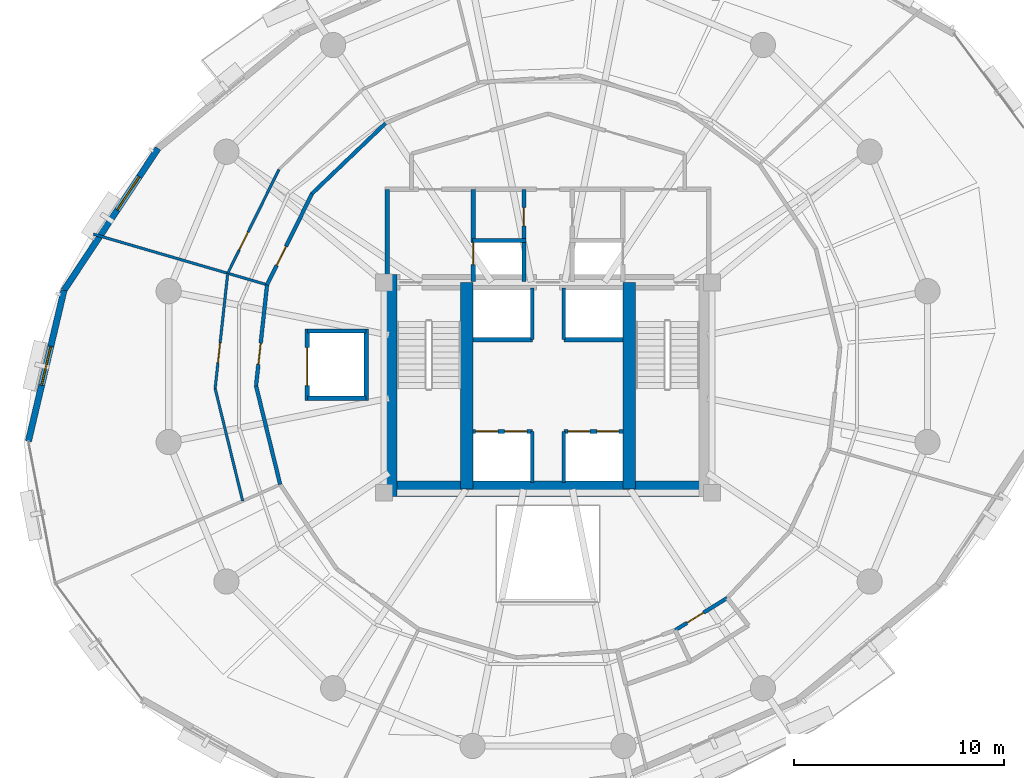
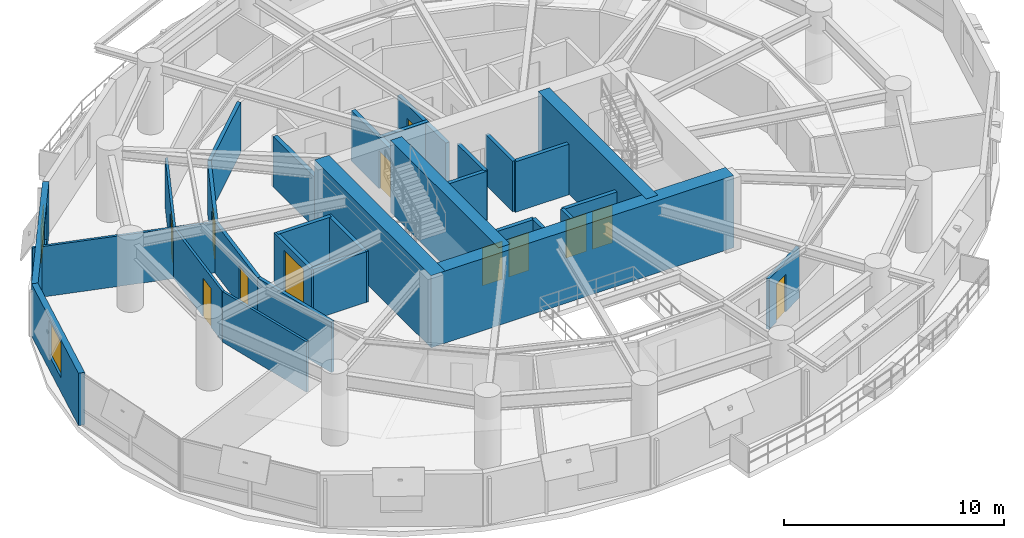
# One storey, part 10 of 14: 31 walls, 12 doors, 2 windows, 14 openings.
"""IFC4 building model written with IfcOpenShell, lengths in metres."""

from ifc_helpers import new_model, si_unit, direction, frame, frame_2d, origin, place, context, subcontext, project, spatial, rectangle, extrude, material, layer, layer_set, type_object, element, fill, save


model = new_model("IFC4")

# Units and contexts
model_context = context("Model", 3, precision=1e-05, world=origin(), true_north=direction((0.0, 1.0)))
body_context = subcontext(model_context, "Body", "Model", "MODEL_VIEW")
ifc_project = project(units=[si_unit("LENGTHUNIT", "METRE"), si_unit("AREAUNIT", "SQUARE_METRE"), si_unit("VOLUMEUNIT", "CUBIC_METRE"), si_unit("PLANEANGLEUNIT", "RADIAN"), si_unit("MASSUNIT", "GRAM", prefix="KILO"), si_unit("THERMODYNAMICTEMPERATUREUNIT", "KELVIN"), si_unit("POWERUNIT", "WATT")], contexts=[model_context])

# Site, building, storey
site_placement = place(None, origin())
site = spatial("IfcSite", under=ifc_project, at=site_placement, CompositionType="ELEMENT")
building_placement = place(site_placement, origin())
building = spatial("IfcBuilding", under=site, at=building_placement, Name="Ocrelia Relay Tower", CompositionType="ELEMENT")
storey_placement = place(building_placement, frame((0.0, 0.0, 133.800048828125)))
storey = spatial("IfcBuildingStorey", under=building, at=storey_placement, Name="L31", CompositionType="ELEMENT", Elevation=133.800048828125)

# Walls
ifc_material_1 = material(Name="Concrete C60/75", Category="concrete")
ifc_layer_1 = layer(ifc_material_1, 0.75, Name="Concrete C60/75")
ifc_layer_set_1 = layer_set([ifc_layer_1], Name="Concrete C60/75")
wall_type_1 = type_object("IfcWallType", Name="CW-CORE-750", PredefinedType="SHEAR", material=ifc_layer_set_1)
wall_1_placement = place(storey_placement, frame((26.072021484375, 20.18701171875, 0.0), z_axis=(0.0, 0.0, 1.0), x_axis=(1.0, 0.0, 0.0)))
element("IfcWall", 1, at=wall_1_placement, inside=storey, type_object=wall_type_1, Name="L31 Core Shear Wall S", PredefinedType="SHEAR", context=body_context, shape_type="SweptSolid", body=[
    extrude(rectangle(XDim=15.865966796875, YDim=0.75, at=frame_2d((7.93310546875, 0.0))), origin(), (0.0, 0.0, 1.0), 4.0),
])
wall_2_placement = place(storey_placement, frame((26.447021484375, 19.81201171875, 0.0), z_axis=(0.0, 0.0, 1.0), x_axis=(0.0, 1.0, 0.0)))
element("IfcWall", 2, at=wall_2_placement, inside=storey, type_object=wall_type_1, Name="L31 Core Shear Wall W", PredefinedType="SHEAR", context=body_context, shape_type="SweptSolid", body=[
    extrude(rectangle(XDim=10.575927734375, YDim=0.75, at=frame_2d((5.2880859375, 0.0))), origin(), (0.0, 0.0, 1.0), 4.0),
])
for number, where, z_axis, x_axis, name in (
    (3, (30.137939453125, 20.18701171875, 0.0), (0.0, 0.0, 1.0), (0.0, 1.0, 0.0), "L31 Core Shear Wall SPW"),
    (4, (37.8720703125, 20.18701171875, 0.0), (0.0, 0.0, 1.0), (0.0, 1.0, 0.0), "L31 Core Shear Wall SPE"),
):
    element("IfcWall", number, at=place(storey_placement, frame(where, z_axis=z_axis, x_axis=x_axis)), inside=storey, type_object=wall_type_1, Name=name, PredefinedType="SHEAR", context=body_context, shape_type="SweptSolid", body=[
        extrude(rectangle(XDim=9.825927734375, YDim=0.60009765625, at=frame_2d((4.9130859375, 0.0))), origin(), (0.0, 0.0, 1.0), 4.0),
    ])

# Wall, opening, door
ifc_material_2 = material(Name="Gypsum Fireboard Partition EI60", Category="gypsum")
ifc_layer_2 = layer(ifc_material_2, 0.179931640625, Name="Gypsum Fireboard Partition EI60")
ifc_layer_set_2 = layer_set([ifc_layer_2], Name="Gypsum Fireboard Partition EI60")
wall_type_2 = type_object("IfcWallType", Name="W-CORR-EI60-180", PredefinedType="PARTITIONING", material=ifc_layer_set_2)
wall_3_placement = place(storey_placement, frame((40.047607421875, 13.46240234375, 0.0), z_axis=(0.0, 0.0, 1.0), x_axis=(0.850365255825, 0.526192865483, 0.0)))
wall_3 = element("IfcWall", 5, at=wall_3_placement, inside=storey, type_object=wall_type_2, Name="L31 Accessible Toilet Corridor Wall", PredefinedType="PARTITIONING", context=body_context, shape_type="SweptSolid", body=[
    extrude(rectangle(XDim=2.91015625, YDim=0.179931640625, at=frame_2d((1.455078125, 0.0))), origin(), (0.0, 0.0, 1.0), 2.800048828125),
])
opening_1_placement = place(wall_3_placement, frame((0.6689453125, 0.0, 0.0)))
opening_1 = element("IfcOpeningElement", 6, at=opening_1_placement, cuts=wall_3, Name="Opening D-WC92", PredefinedType="OPENING", context=body_context, shape_type="SweptSolid", body=[
    extrude(rectangle(XDim=0.919921875, YDim=2.10009765625, at=frame_2d((0.4599609375, 1.050048828125))), frame((0.0, 0.10009765625, 0.0), z_axis=(0.0, -1.0, 0.0), x_axis=(1.0, 0.0, 0.0)), (0.0, 0.0, 1.0), 0.199951171875),
])
ifc_material_3 = material(Name="Laminate washroom door", Category="wood")
door_type_1 = type_object("IfcDoorType", Name="DR-WC-920", OperationType="NOTDEFINED", PredefinedType="DOOR", material=ifc_material_3)
door_1_placement = place(opening_1_placement, origin())
door_1 = element("IfcDoor", 7, at=door_1_placement, inside=storey, type_object=door_type_1, Name="L31 Accessible Toilet Door", OperationType="SINGLE_SWING_RIGHT", OverallHeight=2.10009765625, OverallWidth=0.919921875, PredefinedType="DOOR", context=body_context, shape_type="SweptSolid", body=[
    extrude(rectangle(XDim=0.919921875, YDim=2.10009765625, at=frame_2d((0.4599609375, 1.050048828125))), frame((0.0, 0.02490234375, 0.0), z_axis=(0.0, -1.0, 0.0), x_axis=(1.0, 0.0, 0.0)), (0.0, 0.0, 1.0), 0.050048828125),
])
fill(opening_1, door_1)

# Wall
wall_4_placement = place(storey_placement, frame((26.2666015625, 37.57421875, 0.0), z_axis=(0.0, 0.0, 1.0), x_axis=(-0.722341285912, -0.691536742818, 0.0)))
element("IfcWall", 8, at=wall_4_placement, inside=storey, type_object=wall_type_2, Name="L31 Equipment Staging Store Corridor Partition 2", PredefinedType="PARTITIONING", context=body_context, shape_type="SweptSolid", body=[
    extrude(rectangle(XDim=4.83447265625, YDim=0.179931640625, at=frame_2d((2.417236328125, 0.0))), origin(), (0.0, 0.0, 1.0), 2.800048828125),
])

# Wall, opening, door
wall_5_placement = place(storey_placement, frame((22.7744140625, 34.23095703125, 0.0), z_axis=(0.0, 0.0, 1.0), x_axis=(-0.442338670076, -0.896848092463, 0.0)))
wall_5 = element("IfcWall", 9, at=wall_5_placement, inside=storey, type_object=wall_type_2, Name="L31 Equipment Staging Store Corridor Partition 3", PredefinedType="PARTITIONING", context=body_context, shape_type="SweptSolid", body=[
    extrude(rectangle(XDim=4.83447265625, YDim=0.179931640625, at=frame_2d((2.417236328125, 0.0))), origin(), (0.0, 0.0, 1.0), 2.800048828125),
])
opening_2_placement = place(wall_5_placement, frame((2.80078125, 0.0, 0.0)))
opening_2 = element("IfcOpeningElement", 10, at=opening_2_placement, cuts=wall_5, Name="Opening D-RM100", PredefinedType="OPENING", context=body_context, shape_type="SweptSolid", body=[
    extrude(rectangle(XDim=1.0, YDim=2.14990234375, at=frame_2d((0.5, 1.074951171875))), frame((0.0, 0.10009765625, 0.0), z_axis=(0.0, -1.0, 0.0), x_axis=(1.0, 0.0, 0.0)), (0.0, 0.0, 1.0), 0.199951171875),
])
ifc_material_4 = material(Name="Acoustic oak veneer fire door", Category="wood")
door_type_2 = type_object("IfcDoorType", Name="DR-ROOM-FD60-1000", OperationType="NOTDEFINED", PredefinedType="DOOR", material=ifc_material_4)
door_2_placement = place(opening_2_placement, origin())
door_2 = element("IfcDoor", 11, at=door_2_placement, inside=storey, type_object=door_type_2, Name="L31 Equipment Staging Store Entrance Door", OperationType="SINGLE_SWING_RIGHT", OverallHeight=2.14990234375, OverallWidth=1.0, PredefinedType="DOOR", context=body_context, shape_type="SweptSolid", body=[
    extrude(rectangle(XDim=1.0, YDim=2.14990234375, at=frame_2d((0.5, 1.074951171875))), frame((0.0, 0.02490234375, 0.0), z_axis=(0.0, -1.0, 0.0), x_axis=(1.0, 0.0, 0.0)), (0.0, 0.0, 1.0), 0.050048828125),
])
fill(opening_2, door_2)

wall_6_placement = place(storey_placement, frame((20.635986328125, 29.895263671875, 0.0), z_axis=(0.0, 0.0, 1.0), x_axis=(-0.108829517581, -0.994060428799, 0.0)))
wall_6 = element("IfcWall", 12, at=wall_6_placement, inside=storey, type_object=wall_type_2, Name="L31 Spares Utility Store Corridor Partition 1", PredefinedType="PARTITIONING", context=body_context, shape_type="SweptSolid", body=[
    extrude(rectangle(XDim=4.83447265625, YDim=0.179931640625, at=frame_2d((2.417236328125, 0.0))), origin(), (0.0, 0.0, 1.0), 2.800048828125),
])
opening_3_placement = place(wall_6_placement, frame((2.80078125, 0.0, 0.0)))
opening_3 = element("IfcOpeningElement", 13, at=opening_3_placement, cuts=wall_6, Name="Opening D-RM100", PredefinedType="OPENING", context=body_context, shape_type="SweptSolid", body=[
    extrude(rectangle(XDim=1.0, YDim=2.14990234375, at=frame_2d((0.5, 1.074951171875))), frame((0.0, 0.10009765625, 0.0), z_axis=(0.0, -1.0, 0.0), x_axis=(1.0, 0.0, 0.0)), (0.0, 0.0, 1.0), 0.199951171875),
])
door_3_placement = place(opening_3_placement, origin())
door_3 = element("IfcDoor", 14, at=door_3_placement, inside=storey, type_object=door_type_2, Name="L31 Spares Utility Store Entrance Door", OperationType="SINGLE_SWING_RIGHT", OverallHeight=2.14990234375, OverallWidth=1.0, PredefinedType="DOOR", context=body_context, shape_type="SweptSolid", body=[
    extrude(rectangle(XDim=1.0, YDim=2.14990234375, at=frame_2d((0.5, 1.074951171875))), frame((0.0, 0.02490234375, 0.0), z_axis=(0.0, -1.0, 0.0), x_axis=(1.0, 0.0, 0.0)), (0.0, 0.0, 1.0), 0.050048828125),
])
fill(opening_3, door_3)

# Wall
wall_7_placement = place(storey_placement, frame((20.10986328125, 25.089599609375, 0.0), z_axis=(0.0, 0.0, 1.0), x_axis=(0.237660645322, -0.971348247368, 0.0)))
element("IfcWall", 15, at=wall_7_placement, inside=storey, type_object=wall_type_2, Name="L31 Spares Utility Store Corridor Partition 2", PredefinedType="PARTITIONING", context=body_context, shape_type="SweptSolid", body=[
    extrude(rectangle(XDim=4.834228515625, YDim=0.179931640625, at=frame_2d((2.4169921875, 0.0))), origin(), (0.0, 0.0, 1.0), 2.800048828125),
])

# Wall, opening, window
ifc_material_5 = material(Name="Precast concrete C40/50 with oxide terracotta", Category="masonry")
ifc_layer_3 = layer(ifc_material_5, 0.300048828125, Name="Precast concrete C40/50 with oxide terracotta")
ifc_layer_set_3 = layer_set([ifc_layer_3], Name="Precast concrete C40/50 with oxide terracotta")
wall_type_3 = type_object("IfcWallType", Name="W-EXT-TERR-300", PredefinedType="SOLIDWALL", material=ifc_layer_set_3)
wall_8_placement = place(storey_placement, frame((15.44775390625, 36.38134765625, 0.0), z_axis=(0.0, 0.0, 1.0), x_axis=(-0.552401321334, -0.833578298775, 0.0)))
wall_8 = element("IfcWall", 16, at=wall_8_placement, inside=storey, type_object=wall_type_3, Name="L31 Oxide Terracotta Facade Wall 07", PredefinedType="SOLIDWALL", context=body_context, shape_type="SweptSolid", body=[
    extrude(rectangle(XDim=8.094970703125, YDim=0.300048828125, at=frame_2d((4.04736328125, 0.0))), origin(), (0.0, 0.0, 1.0), 2.89990234375),
])
opening_4_placement = place(wall_8_placement, frame((1.614990234375, 0.0, 0.800048828125)))
opening_4 = element("IfcOpeningElement", 17, at=opening_4_placement, cuts=wall_8, Name="Opening W-06", PredefinedType="OPENING", context=body_context, shape_type="SweptSolid", body=[
    extrude(rectangle(XDim=1.89990234375, YDim=1.949951171875, at=frame_2d((0.949951171875, 0.97509765625))), frame((0.0, 0.16015625, 0.0), z_axis=(0.0, -1.0, 0.0), x_axis=(1.0, 0.0, 0.0)), (0.0, 0.0, 1.0), 0.320068359375),
])
ifc_material_6 = material(Name="Clear double-glazed low-E glass", Category="glass")
window_type = type_object("IfcWindowType", Name="WIN-Z2-1900x2100", PartitioningType="DOUBLE_PANEL_VERTICAL", PredefinedType="WINDOW", material=ifc_material_6)
window_1_placement = place(opening_4_placement, origin())
window_1 = element("IfcWindow", 18, at=window_1_placement, inside=storey, type_object=window_type, Name="L31 Facade Module Window 07", OverallHeight=1.949951171875, OverallWidth=1.89990234375, PartitioningType="SINGLE_PANEL", PredefinedType="WINDOW", context=body_context, shape_type="SweptSolid", body=[
    extrude(rectangle(XDim=1.89990234375, YDim=1.949951171875, at=frame_2d((0.949951171875, 0.97509765625))), frame((0.0, 0.030029296875, 0.0), z_axis=(0.0, -1.0, 0.0), x_axis=(1.0, 0.0, 0.0)), (0.0, 0.0, 1.0), 0.06005859375),
])
fill(opening_4, window_1)

wall_9_placement = place(storey_placement, frame((10.97607421875, 29.633544921875, 0.0), z_axis=(0.0, 0.0, 1.0), x_axis=(-0.229551679133, -0.973296474157, 0.0)))
wall_9 = element("IfcWall", 19, at=wall_9_placement, inside=storey, type_object=wall_type_3, Name="L31 Oxide Terracotta Facade Wall 08", PredefinedType="SOLIDWALL", context=body_context, shape_type="SweptSolid", body=[
    extrude(rectangle(XDim=7.38330078125, YDim=0.300048828125, at=frame_2d((3.691650390625, 0.0))), origin(), (0.0, 0.0, 1.0), 2.89990234375),
])
opening_5_placement = place(wall_9_placement, frame((2.741943359375, 0.0, 0.800048828125)))
opening_5 = element("IfcOpeningElement", 20, at=opening_5_placement, cuts=wall_9, Name="Opening W-06", PredefinedType="OPENING", context=body_context, shape_type="SweptSolid", body=[
    extrude(rectangle(XDim=1.89990234375, YDim=1.949951171875, at=frame_2d((0.949951171875, 0.97509765625))), frame((0.0, 0.16015625, 0.0), z_axis=(0.0, -1.0, 0.0), x_axis=(1.0, 0.0, 0.0)), (0.0, 0.0, 1.0), 0.320068359375),
])
window_2_placement = place(opening_5_placement, origin())
window_2 = element("IfcWindow", 21, at=window_2_placement, inside=storey, type_object=window_type, Name="L31 Facade Module Window 08", OverallHeight=1.949951171875, OverallWidth=1.89990234375, PartitioningType="SINGLE_PANEL", PredefinedType="WINDOW", context=body_context, shape_type="SweptSolid", body=[
    extrude(rectangle(XDim=1.89990234375, YDim=1.949951171875, at=frame_2d((0.949951171875, 0.97509765625))), frame((0.0, 0.030029296875, 0.0), z_axis=(0.0, -1.0, 0.0), x_axis=(1.0, 0.0, 0.0)), (0.0, 0.0, 1.0), 0.06005859375),
])
fill(opening_5, window_2)

# Wall
ifc_material_7 = material(Name="Concrete C50/60", Category="concrete")
ifc_layer_4 = layer(ifc_material_7, 0.219970703125, Name="Concrete C50/60")
ifc_layer_set_4 = layer_set([ifc_layer_4], Name="Concrete C50/60")
wall_type_4 = type_object("IfcWallType", Name="W-FFL-EI120-220", PredefinedType="SOLIDWALL", material=ifc_layer_set_4)
wall_10_placement = place(storey_placement, frame((26.35009765625, 30.050048828125, 0.0), z_axis=(0.0, 0.0, 1.0), x_axis=(0.0, 1.0, 0.0)))
element("IfcWall", 22, at=wall_10_placement, inside=storey, type_object=wall_type_4, Name="L31 W Fire Service Lift Lobby West Wall", PredefinedType="SOLIDWALL", context=body_context, shape_type="SweptSolid", body=[
    extrude(rectangle(XDim=4.3798828125, YDim=0.219970703125, at=frame_2d((2.18994140625, 0.0))), origin(), (0.0, 0.0, 1.0), 2.800048828125),
])

# Wall, opening, door
wall_11_placement = place(storey_placement, frame((30.43994140625, 30.050048828125, 0.0), z_axis=(0.0, 0.0, 1.0), x_axis=(0.0, 1.0, 0.0)))
wall_11 = element("IfcWall", 23, at=wall_11_placement, inside=storey, type_object=wall_type_4, Name="L31 W Fire Service Lift Lobby East Wall", PredefinedType="SOLIDWALL", context=body_context, shape_type="SweptSolid", body=[
    extrude(rectangle(XDim=4.3798828125, YDim=0.219970703125, at=frame_2d((2.18994140625, 0.0))), origin(), (0.0, 0.0, 1.0), 2.800048828125),
])
opening_6_placement = place(wall_11_placement, frame((0.800048828125, 0.0, 0.0)))
opening_6 = element("IfcOpeningElement", 24, at=opening_6_placement, cuts=wall_11, Name="Opening LD-FFL1", PredefinedType="OPENING", context=body_context, shape_type="SweptSolid", body=[
    extrude(rectangle(XDim=1.050048828125, YDim=2.10009765625, at=frame_2d((0.52490234375, 1.050048828125))), frame((0.0, 0.1201171875, 0.0), z_axis=(0.0, -1.0, 0.0), x_axis=(1.0, 0.0, 0.0)), (0.0, 0.0, 1.0), 0.239990234375),
])
ifc_material_8 = material(Name="Brushed stainless steel S355 lift landing door", Category="steel")
door_type_3 = type_object("IfcDoorType", Name="DR-LIFT-LAND-1050", OperationType="DOUBLE_DOOR_SLIDING", PredefinedType="USERDEFINED", material=ifc_material_8)
door_4_placement = place(opening_6_placement, origin())
door_4 = element("IfcDoor", 25, at=door_4_placement, inside=storey, type_object=door_type_3, Name="L31 Firefighting Lift FFL1 Sliding Landing Door", ObjectType="LANDING DOOR", OperationType="DOUBLE_DOOR_SLIDING", OverallHeight=2.10009765625, OverallWidth=1.050048828125, PredefinedType="USERDEFINED", context=body_context, shape_type="SweptSolid", body=[
    extrude(rectangle(XDim=1.050048828125, YDim=2.10009765625, at=frame_2d((0.52490234375, 1.050048828125))), frame((0.0, 0.02490234375, 0.0), z_axis=(0.0, -1.0, 0.0), x_axis=(1.0, 0.0, 0.0)), (0.0, 0.0, 1.0), 0.050048828125),
])
fill(opening_6, door_4)

# Wall
ifc_material_9 = material(Name="Acoustic Fireboard Partition EI60", Category="gypsum")
ifc_layer_5 = layer(ifc_material_9, 0.125, Name="Acoustic Fireboard Partition EI60")
ifc_layer_set_5 = layer_set([ifc_layer_5], Name="Acoustic Fireboard Partition EI60")
wall_type_5 = type_object("IfcWallType", Name="W-PART-125", PredefinedType="PARTITIONING", material=ifc_layer_set_5)
wall_12_placement = place(storey_placement, frame((20.635986328125, 29.895263671875, 0.0), z_axis=(0.0, 0.0, 1.0), x_axis=(-0.960054321728, 0.279813686819, 0.0)))
element("IfcWall", 26, at=wall_12_placement, inside=storey, type_object=wall_type_5, Name="L31 Equipment Staging Store Radial Partition", PredefinedType="PARTITIONING", context=body_context, shape_type="SweptSolid", body=[
    extrude(rectangle(XDim=8.604736328125, YDim=0.125, at=frame_2d((4.30224609375, 0.0))), origin(), (0.0, 0.0, 1.0), 2.800048828125),
])

# Wall, opening, door
wall_13_placement = place(storey_placement, frame((21.20166015625, 35.384033203125, 0.0), z_axis=(0.0, 0.0, 1.0), x_axis=(-0.442298829349, -0.896867741396, 0.0)))
wall_13 = element("IfcWall", 27, at=wall_13_placement, inside=storey, type_object=wall_type_5, Name="L31 Perimeter Equipment Staging Store Mid-Ring Partition 3", PredefinedType="PARTITIONING", context=body_context, shape_type="SweptSolid", body=[
    extrude(rectangle(XDim=5.511474609375, YDim=0.125, at=frame_2d((2.755859375, 0.0))), origin(), (0.0, 0.0, 1.0), 2.800048828125),
])
opening_7_placement = place(wall_13_placement, frame((3.331298828125, 0.0, 0.0)))
opening_7 = element("IfcOpeningElement", 28, at=opening_7_placement, cuts=wall_13, Name="Opening D-RM95", PredefinedType="OPENING", context=body_context, shape_type="SweptSolid", body=[
    extrude(rectangle(XDim=0.949951171875, YDim=2.14990234375, at=frame_2d((0.47509765625, 1.074951171875))), frame((0.0, 0.072509765625, 0.0), z_axis=(0.0, -1.0, 0.0), x_axis=(1.0, 0.0, 0.0)), (0.0, 0.0, 1.0), 0.14501953125),
])
door_type_4 = type_object("IfcDoorType", Name="DR-ROOM-950", OperationType="NOTDEFINED", PredefinedType="DOOR", material=ifc_material_4)
door_5_placement = place(opening_7_placement, origin())
door_5 = element("IfcDoor", 29, at=door_5_placement, inside=storey, type_object=door_type_4, Name="L31 Perimeter Equipment Staging Store Connecting Door", OperationType="SINGLE_SWING_LEFT", OverallHeight=2.14990234375, OverallWidth=0.949951171875, PredefinedType="DOOR", context=body_context, shape_type="SweptSolid", body=[
    extrude(rectangle(XDim=0.949951171875, YDim=2.14990234375, at=frame_2d((0.47509765625, 1.074951171875))), frame((0.0, 0.02490234375, 0.0), z_axis=(0.0, -1.0, 0.0), x_axis=(1.0, 0.0, 0.0)), (0.0, 0.0, 1.0), 0.050048828125),
])
fill(opening_7, door_5)

wall_14_placement = place(storey_placement, frame((18.763916015625, 30.44091796875, 0.0), z_axis=(0.0, 0.0, 1.0), x_axis=(-0.108836706904, -0.994059641687, 0.0)))
wall_14 = element("IfcWall", 30, at=wall_14_placement, inside=storey, type_object=wall_type_5, Name="L31 Perimeter Spares Utility Store Mid-Ring Partition 1", PredefinedType="PARTITIONING", context=body_context, shape_type="SweptSolid", body=[
    extrude(rectangle(XDim=5.511474609375, YDim=0.125, at=frame_2d((2.755859375, 0.0))), origin(), (0.0, 0.0, 1.0), 2.800048828125),
])
opening_8_placement = place(wall_14_placement, frame((3.331298828125, 0.0, 0.0)))
opening_8 = element("IfcOpeningElement", 31, at=opening_8_placement, cuts=wall_14, Name="Opening D-RM95", PredefinedType="OPENING", context=body_context, shape_type="SweptSolid", body=[
    extrude(rectangle(XDim=0.949951171875, YDim=2.14990234375, at=frame_2d((0.47509765625, 1.074951171875))), frame((0.0, 0.072509765625, 0.0), z_axis=(0.0, -1.0, 0.0), x_axis=(1.0, 0.0, 0.0)), (0.0, 0.0, 1.0), 0.14501953125),
])
door_6_placement = place(opening_8_placement, origin())
door_6 = element("IfcDoor", 32, at=door_6_placement, inside=storey, type_object=door_type_4, Name="L31 Perimeter Spares Utility Store Connecting Door", OperationType="SINGLE_SWING_LEFT", OverallHeight=2.14990234375, OverallWidth=0.949951171875, PredefinedType="DOOR", context=body_context, shape_type="SweptSolid", body=[
    extrude(rectangle(XDim=0.949951171875, YDim=2.14990234375, at=frame_2d((0.47509765625, 1.074951171875))), frame((0.0, 0.02490234375, 0.0), z_axis=(0.0, -1.0, 0.0), x_axis=(1.0, 0.0, 0.0)), (0.0, 0.0, 1.0), 0.050048828125),
])
fill(opening_8, door_6)

# Walls
wall_15_placement = place(storey_placement, frame((18.1640625, 24.962158203125, 0.0), z_axis=(0.0, 0.0, 1.0), x_axis=(0.237686219913, -0.971341989653, 0.0)))
element("IfcWall", 33, at=wall_15_placement, inside=storey, type_object=wall_type_5, Name="L31 Perimeter Spares Utility Store Mid-Ring Partition 2", PredefinedType="PARTITIONING", context=body_context, shape_type="SweptSolid", body=[
    extrude(rectangle(XDim=5.51171875, YDim=0.125, at=frame_2d((2.755859375, 0.0))), origin(), (0.0, 0.0, 1.0), 2.800048828125),
])
ifc_layer_6 = layer(ifc_material_7, 0.199951171875, Name="Concrete C50/60")
ifc_layer_set_6 = layer_set([ifc_layer_6], Name="Concrete C50/60")
wall_type_6 = type_object("IfcWallType", Name="W-SHAFT-EI120-200", PredefinedType="SOLIDWALL", material=ifc_layer_set_6)
wall_16_placement = place(storey_placement, frame((30.39990234375, 32.0, 0.0), z_axis=(0.0, 0.0, 1.0), x_axis=(1.0, 0.0, 0.0)))
element("IfcWall", 34, at=wall_16_placement, inside=storey, type_object=wall_type_6, Name="L31 FFL1 Hoistway North Wall", PredefinedType="SOLIDWALL", context=body_context, shape_type="SweptSolid", body=[
    extrude(rectangle(XDim=2.550048828125, YDim=0.199951171875, at=frame_2d((1.27490234375, 0.0))), origin(), (0.0, 0.0, 1.0), 2.800048828125),
])

# Wall, opening, door
wall_17_placement = place(storey_placement, frame((32.85009765625, 30.050048828125, 0.0), z_axis=(0.0, 0.0, 1.0), x_axis=(0.0, 1.0, 0.0)))
wall_17 = element("IfcWall", 35, at=wall_17_placement, inside=storey, type_object=wall_type_6, Name="L31 FFL1 and Service Vestibule Wall", PredefinedType="SOLIDWALL", context=body_context, shape_type="SweptSolid", body=[
    extrude(rectangle(XDim=4.3798828125, YDim=0.199951171875, at=frame_2d((2.18994140625, 0.0))), origin(), (0.0, 0.0, 1.0), 2.800048828125),
])
opening_9_placement = place(wall_17_placement, frame((2.64990234375, 0.0, 0.0)))
opening_9 = element("IfcOpeningElement", 36, at=opening_9_placement, cuts=wall_17, Name="Opening D-RS86", PredefinedType="OPENING", context=body_context, shape_type="SweptSolid", body=[
    extrude(rectangle(XDim=0.860107421875, YDim=2.050048828125, at=frame_2d((0.43017578125, 1.02490234375))), frame((0.0, 0.10986328125, 0.0), z_axis=(0.0, -1.0, 0.0), x_axis=(1.0, 0.0, 0.0)), (0.0, 0.0, 1.0), 0.219970703125),
])
ifc_material_10 = material(Name="Steel S355 riser access fire door", Category="steel")
door_type_5 = type_object("IfcDoorType", Name="DR-RISER-TRAP-860", OperationType="NOTDEFINED", PredefinedType="TRAPDOOR", material=ifc_material_10)
door_7_placement = place(opening_9_placement, origin())
door_7 = element("IfcDoor", 37, at=door_7_placement, inside=storey, type_object=door_type_5, Name="L31 Core Support Room W Door", OperationType="SINGLE_SWING_LEFT", OverallHeight=2.050048828125, OverallWidth=0.860107421875, PredefinedType="TRAPDOOR", context=body_context, shape_type="SweptSolid", body=[
    extrude(rectangle(XDim=0.860107421875, YDim=2.050048828125, at=frame_2d((0.43017578125, 1.02490234375))), frame((0.0, 0.02490234375, 0.0), z_axis=(0.0, -1.0, 0.0), x_axis=(1.0, 0.0, 0.0)), (0.0, 0.0, 1.0), 0.050048828125),
])
fill(opening_9, door_7)

# Wall, openings, doors
wall_18_placement = place(storey_placement, frame((30.43994140625, 22.919921875, 0.0), z_axis=(0.0, 0.0, 1.0), x_axis=(1.0, 0.0, 0.0)))
wall_18 = element("IfcWall", 38, at=wall_18_placement, inside=storey, type_object=wall_type_6, Name="L31 Low-Rise Lift Hoistway Wall W", PredefinedType="SOLIDWALL", context=body_context, shape_type="SweptSolid", body=[
    extrude(rectangle(XDim=2.81005859375, YDim=0.199951171875, at=frame_2d((1.405029296875, 0.0))), origin(), (0.0, 0.0, 1.0), 2.800048828125),
])
opening_10_placement = place(wall_18_placement, frame((0.1201171875, 0.0, 0.0)))
opening_10 = element("IfcOpeningElement", 39, at=opening_10_placement, cuts=wall_18, Name="Opening LD-PL1", PredefinedType="OPENING", context=body_context, shape_type="SweptSolid", body=[
    extrude(rectangle(XDim=1.050048828125, YDim=2.10009765625, at=frame_2d((0.52490234375, 1.050048828125))), frame((0.0, 0.10986328125, 0.0), z_axis=(0.0, -1.0, 0.0), x_axis=(1.0, 0.0, 0.0)), (0.0, 0.0, 1.0), 0.219970703125),
])
opening_11_placement = place(wall_18_placement, frame((1.5, 0.0, 0.0)))
opening_11 = element("IfcOpeningElement", 40, at=opening_11_placement, cuts=wall_18, Name="Opening LD-PL2", PredefinedType="OPENING", context=body_context, shape_type="SweptSolid", body=[
    extrude(rectangle(XDim=1.050048828125, YDim=2.10009765625, at=frame_2d((0.52490234375, 1.050048828125))), frame((0.0, 0.10986328125, 0.0), z_axis=(0.0, -1.0, 0.0), x_axis=(1.0, 0.0, 0.0)), (0.0, 0.0, 1.0), 0.219970703125),
])
door_8_placement = place(opening_10_placement, origin())
door_8 = element("IfcDoor", 41, at=door_8_placement, inside=storey, type_object=door_type_3, Name="L31 Passenger Lift PL1 Sliding Landing Door", ObjectType="LANDING DOOR", OperationType="DOUBLE_DOOR_SLIDING", OverallHeight=2.10009765625, OverallWidth=1.050048828125, PredefinedType="USERDEFINED", context=body_context, shape_type="SweptSolid", body=[
    extrude(rectangle(XDim=1.050048828125, YDim=2.10009765625, at=frame_2d((0.52490234375, 1.050048828125))), frame((0.0, 0.02490234375, 0.0), z_axis=(0.0, -1.0, 0.0), x_axis=(1.0, 0.0, 0.0)), (0.0, 0.0, 1.0), 0.050048828125),
])
fill(opening_10, door_8)
door_9_placement = place(opening_11_placement, origin())
door_9 = element("IfcDoor", 42, at=door_9_placement, inside=storey, type_object=door_type_3, Name="L31 Passenger Lift PL2 Sliding Landing Door", ObjectType="LANDING DOOR", OperationType="DOUBLE_DOOR_SLIDING", OverallHeight=2.10009765625, OverallWidth=1.050048828125, PredefinedType="USERDEFINED", context=body_context, shape_type="SweptSolid", body=[
    extrude(rectangle(XDim=1.050048828125, YDim=2.10009765625, at=frame_2d((0.52490234375, 1.050048828125))), frame((0.0, 0.02490234375, 0.0), z_axis=(0.0, -1.0, 0.0), x_axis=(1.0, 0.0, 0.0)), (0.0, 0.0, 1.0), 0.050048828125),
])
fill(opening_11, door_9)

# Wall
wall_19_placement = place(storey_placement, frame((33.25, 20.5, 0.0), z_axis=(0.0, 0.0, 1.0), x_axis=(0.0, 1.0, 0.0)))
element("IfcWall", 43, at=wall_19_placement, inside=storey, type_object=wall_type_6, Name="L31 Low-Rise Lift Throat Wall W", PredefinedType="SOLIDWALL", context=body_context, shape_type="SweptSolid", body=[
    extrude(rectangle(XDim=2.419921875, YDim=0.179931640625, at=frame_2d((1.2099609375, 0.0))), origin(), (0.0, 0.0, 1.0), 2.800048828125),
])

# Wall, openings, doors
wall_20_placement = place(storey_placement, frame((34.75, 22.919921875, 0.0), z_axis=(0.0, 0.0, 1.0), x_axis=(1.0, 0.0, 0.0)))
wall_20 = element("IfcWall", 44, at=wall_20_placement, inside=storey, type_object=wall_type_6, Name="L31 Low-Rise Lift Hoistway Wall E", PredefinedType="SOLIDWALL", context=body_context, shape_type="SweptSolid", body=[
    extrude(rectangle(XDim=2.81005859375, YDim=0.199951171875, at=frame_2d((1.405029296875, 0.0))), origin(), (0.0, 0.0, 1.0), 2.800048828125),
])
opening_12_placement = place(wall_20_placement, frame((0.18994140625, 0.0, 0.0)))
opening_12 = element("IfcOpeningElement", 45, at=opening_12_placement, cuts=wall_20, Name="Opening LD-PL3", PredefinedType="OPENING", context=body_context, shape_type="SweptSolid", body=[
    extrude(rectangle(XDim=1.050048828125, YDim=2.10009765625, at=frame_2d((0.52490234375, 1.050048828125))), frame((0.0, 0.10986328125, 0.0), z_axis=(0.0, -1.0, 0.0), x_axis=(1.0, 0.0, 0.0)), (0.0, 0.0, 1.0), 0.219970703125),
])
opening_13_placement = place(wall_20_placement, frame((1.570068359375, 0.0, 0.0)))
opening_13 = element("IfcOpeningElement", 46, at=opening_13_placement, cuts=wall_20, Name="Opening LD-PL4", PredefinedType="OPENING", context=body_context, shape_type="SweptSolid", body=[
    extrude(rectangle(XDim=1.050048828125, YDim=2.10009765625, at=frame_2d((0.52490234375, 1.050048828125))), frame((0.0, 0.10986328125, 0.0), z_axis=(0.0, -1.0, 0.0), x_axis=(1.0, 0.0, 0.0)), (0.0, 0.0, 1.0), 0.219970703125),
])
door_10_placement = place(opening_12_placement, origin())
door_10 = element("IfcDoor", 47, at=door_10_placement, inside=storey, type_object=door_type_3, Name="L31 Passenger Lift PL3 Sliding Landing Door", ObjectType="LANDING DOOR", OperationType="DOUBLE_DOOR_SLIDING", OverallHeight=2.10009765625, OverallWidth=1.050048828125, PredefinedType="USERDEFINED", context=body_context, shape_type="SweptSolid", body=[
    extrude(rectangle(XDim=1.050048828125, YDim=2.10009765625, at=frame_2d((0.52490234375, 1.050048828125))), frame((0.0, 0.02490234375, 0.0), z_axis=(0.0, -1.0, 0.0), x_axis=(1.0, 0.0, 0.0)), (0.0, 0.0, 1.0), 0.050048828125),
])
fill(opening_12, door_10)
door_11_placement = place(opening_13_placement, origin())
door_11 = element("IfcDoor", 48, at=door_11_placement, inside=storey, type_object=door_type_3, Name="L31 Passenger Lift PL4 Sliding Landing Door", ObjectType="LANDING DOOR", OperationType="DOUBLE_DOOR_SLIDING", OverallHeight=2.10009765625, OverallWidth=1.050048828125, PredefinedType="USERDEFINED", context=body_context, shape_type="SweptSolid", body=[
    extrude(rectangle(XDim=1.050048828125, YDim=2.10009765625, at=frame_2d((0.52490234375, 1.050048828125))), frame((0.0, 0.02490234375, 0.0), z_axis=(0.0, -1.0, 0.0), x_axis=(1.0, 0.0, 0.0)), (0.0, 0.0, 1.0), 0.050048828125),
])
fill(opening_13, door_11)

# Walls
wall_21_placement = place(storey_placement, frame((34.75, 20.5, 0.0), z_axis=(0.0, 0.0, 1.0), x_axis=(0.0, 1.0, 0.0)))
element("IfcWall", 49, at=wall_21_placement, inside=storey, type_object=wall_type_6, Name="L31 Low-Rise Lift Throat Wall E", PredefinedType="SOLIDWALL", context=body_context, shape_type="SweptSolid", body=[
    extrude(rectangle(XDim=2.419921875, YDim=0.179931640625, at=frame_2d((1.2099609375, 0.0))), origin(), (0.0, 0.0, 1.0), 2.800048828125),
])
wall_22_placement = place(storey_placement, frame((30.43994140625, 27.280029296875, 0.0), z_axis=(0.0, 0.0, 1.0), x_axis=(1.0, 0.0, 0.0)))
element("IfcWall", 50, at=wall_22_placement, inside=storey, type_object=wall_type_6, Name="L31 High-Rise Lift Hoistway Wall W", PredefinedType="SOLIDWALL", context=body_context, shape_type="SweptSolid", body=[
    extrude(rectangle(XDim=2.81005859375, YDim=0.199951171875, at=frame_2d((1.405029296875, 0.0))), origin(), (0.0, 0.0, 1.0), 2.800048828125),
])
wall_23_placement = place(storey_placement, frame((33.25, 27.280029296875, 0.0), z_axis=(0.0, 0.0, 1.0), x_axis=(0.0, 1.0, 0.0)))
element("IfcWall", 51, at=wall_23_placement, inside=storey, type_object=wall_type_6, Name="L31 High-Rise Lift Throat Wall W", PredefinedType="SOLIDWALL", context=body_context, shape_type="SweptSolid", body=[
    extrude(rectangle(XDim=2.469970703125, YDim=0.179931640625, at=frame_2d((1.23486328125, 0.0))), origin(), (0.0, 0.0, 1.0), 2.800048828125),
])
wall_24_placement = place(storey_placement, frame((34.75, 27.280029296875, 0.0), z_axis=(0.0, 0.0, 1.0), x_axis=(1.0, 0.0, 0.0)))
element("IfcWall", 52, at=wall_24_placement, inside=storey, type_object=wall_type_6, Name="L31 High-Rise Lift Hoistway Wall E", PredefinedType="SOLIDWALL", context=body_context, shape_type="SweptSolid", body=[
    extrude(rectangle(XDim=2.81005859375, YDim=0.199951171875, at=frame_2d((1.405029296875, 0.0))), origin(), (0.0, 0.0, 1.0), 2.800048828125),
])
wall_25_placement = place(storey_placement, frame((34.75, 27.280029296875, 0.0), z_axis=(0.0, 0.0, 1.0), x_axis=(0.0, 1.0, 0.0)))
element("IfcWall", 53, at=wall_25_placement, inside=storey, type_object=wall_type_6, Name="L31 High-Rise Lift Throat Wall E", PredefinedType="SOLIDWALL", context=body_context, shape_type="SweptSolid", body=[
    extrude(rectangle(XDim=2.469970703125, YDim=0.179931640625, at=frame_2d((1.23486328125, 0.0))), origin(), (0.0, 0.0, 1.0), 2.800048828125),
])

# Wall, opening, door
wall_26_placement = place(storey_placement, frame((22.550048828125, 24.39990234375, 0.0), z_axis=(0.0, 0.0, 1.0), x_axis=(0.0, 1.0, 0.0)))
wall_26 = element("IfcWall", 54, at=wall_26_placement, inside=storey, type_object=wall_type_6, Name="L31 Goods Lift Shaft West Wall", PredefinedType="SOLIDWALL", context=body_context, shape_type="SweptSolid", body=[
    extrude(rectangle(XDim=3.400146484375, YDim=0.199951171875, at=frame_2d((1.7001953125, 0.0))), origin(), (0.0, 0.0, 1.0), 2.800048828125),
])
opening_14_placement = place(wall_26_placement, frame((0.699951171875, 0.0, 0.0)))
opening_14 = element("IfcOpeningElement", 55, at=opening_14_placement, cuts=wall_26, Name="Opening LD-GL1", PredefinedType="OPENING", context=body_context, shape_type="SweptSolid", body=[
    extrude(rectangle(XDim=1.800048828125, YDim=2.39990234375, at=frame_2d((0.89990234375, 1.199951171875))), frame((0.0, 0.10986328125, 0.0), z_axis=(0.0, -1.0, 0.0), x_axis=(1.0, 0.0, 0.0)), (0.0, 0.0, 1.0), 0.219970703125),
])
ifc_material_11 = material(Name="Heavy-duty stainless steel S355 goods landing door", Category="steel")
door_type_6 = type_object("IfcDoorType", Name="DR-GOODS-LAND-1800", OperationType="DOUBLE_DOOR_SLIDING", PredefinedType="USERDEFINED", material=ifc_material_11)
door_12_placement = place(opening_14_placement, origin())
door_12 = element("IfcDoor", 56, at=door_12_placement, inside=storey, type_object=door_type_6, Name="L31 Goods Lift GL1 Sliding Landing Door", ObjectType="LANDING DOOR", OperationType="DOUBLE_DOOR_SLIDING", OverallHeight=2.39990234375, OverallWidth=1.800048828125, PredefinedType="USERDEFINED", context=body_context, shape_type="SweptSolid", body=[
    extrude(rectangle(XDim=1.800048828125, YDim=2.39990234375, at=frame_2d((0.89990234375, 1.199951171875))), frame((0.0, 0.02490234375, 0.0), z_axis=(0.0, -1.0, 0.0), x_axis=(1.0, 0.0, 0.0)), (0.0, 0.0, 1.0), 0.050048828125),
])
fill(opening_14, door_12)

# Walls
wall_27_placement = place(storey_placement, frame((25.35009765625, 24.39990234375, 0.0), z_axis=(0.0, 0.0, 1.0), x_axis=(0.0, 1.0, 0.0)))
element("IfcWall", 57, at=wall_27_placement, inside=storey, type_object=wall_type_6, Name="L31 Goods Lift Shaft E Wall", PredefinedType="SOLIDWALL", context=body_context, shape_type="SweptSolid", body=[
    extrude(rectangle(XDim=3.400146484375, YDim=0.199951171875, at=frame_2d((1.7001953125, 0.0))), origin(), (0.0, 0.0, 1.0), 2.800048828125),
])
for number, where, z_axis, x_axis, name in (
    (58, (22.550048828125, 24.5, 0.0), (0.0, 0.0, 1.0), (1.0, 0.0, 0.0), "L31 Goods Lift Shaft S Wall"),
    (59, (22.550048828125, 27.699951171875, 0.0), (0.0, 0.0, 1.0), (1.0, 0.0, 0.0), "L31 Goods Lift Shaft N Wall"),
):
    element("IfcWall", number, at=place(storey_placement, frame(where, z_axis=z_axis, x_axis=x_axis)), inside=storey, type_object=wall_type_6, Name=name, PredefinedType="SOLIDWALL", context=body_context, shape_type="SweptSolid", body=[
        extrude(rectangle(XDim=2.800048828125, YDim=0.199951171875, at=frame_2d((1.39990234375, 0.0))), origin(), (0.0, 0.0, 1.0), 2.800048828125),
    ])

save(model, "model.ifc")
